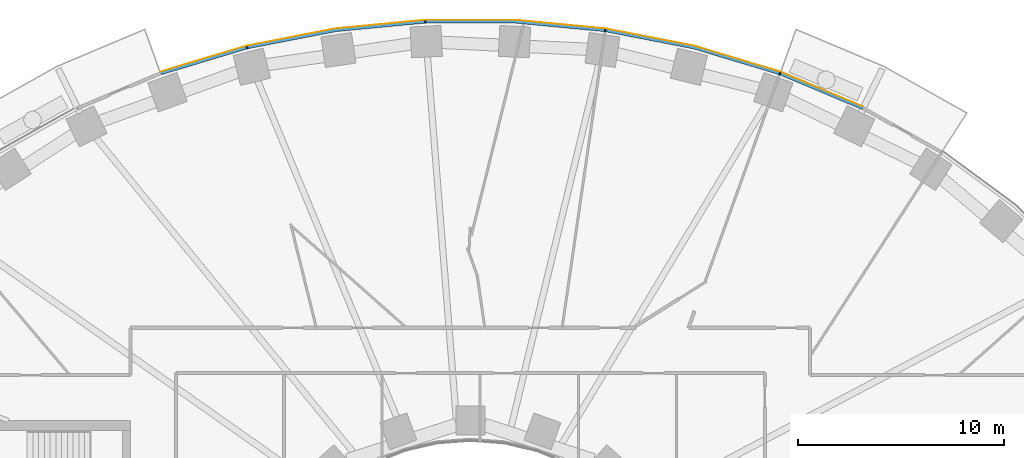
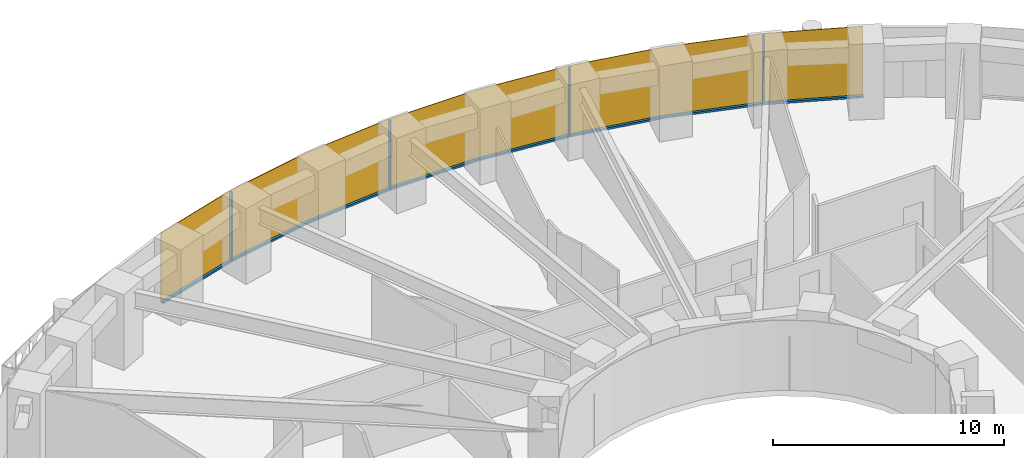
# One storey, part 12 of 15: 9 members, 1 curtain wall.
"""IFC4 building model written with IfcOpenShell, lengths in metres."""

from ifc_helpers import new_model, si_unit, direction, frame, origin, origin_2d, place, context, subcontext, project, spatial, polyline, rectangle, outline, extrude, material, layer, layer_set, material_profile, profile_set, type_object, element, aggregate, save


model = new_model("IFC4")

# Units and contexts
model_context = context("Model", 3, precision=1e-05, world=origin(), true_north=direction((0.0, 1.0)))
body_context = subcontext(model_context, "Body", "Model", "MODEL_VIEW")
ifc_project = project(units=[si_unit("LENGTHUNIT", "METRE"), si_unit("AREAUNIT", "SQUARE_METRE"), si_unit("VOLUMEUNIT", "CUBIC_METRE"), si_unit("PLANEANGLEUNIT", "RADIAN"), si_unit("MASSUNIT", "GRAM", prefix="KILO")], contexts=[model_context])

# Member
ifc_material_1 = material(Name="Aluminium 6063-T6 black anodised", Category="aluminium")
ifc_material_profile = material_profile(ifc_material_1, rectangle(XDim=0.1201171875, YDim=0.06005859375, at=origin_2d()), Name="120x60")
ifc_profile_set = profile_set([ifc_material_profile], Name="Aluminium 6063-T6 black anodised")
member_type_1 = type_object("IfcMemberType", Name="ENV-MULLION-A-120", PredefinedType="MULLION", material=ifc_profile_set)
site_placement = place(None, origin())
building_placement = place(site_placement, origin())
storey_placement = place(building_placement, frame((0.0, 0.0, 38.5)))
member_1_placement = place(storey_placement, frame((15.0341796875, 25.34375, 0.0), z_axis=(0.0, 0.0, 1.0), x_axis=(-0.338379256581, -0.941009818608, 0.0)))
member_1 = element("IfcMember", 1, at=member_1_placement, type_object=member_type_1, Name="Mullion A radial 09", PredefinedType="MULLION", context=body_context, shape_type="SweptSolid", body=[
    extrude(rectangle(XDim=0.1201171875, YDim=0.06005859375, at=origin_2d()), origin(), (0.0, 0.0, 1.0), 3.699951171875),
])

member_2_placement = place(storey_placement, frame((6.54638671875, 27.440185546875, 0.0), z_axis=(0.0, 0.0, 1.0), x_axis=(-0.143082012705, -0.989710835366, 0.0)))
member_2 = element("IfcMember", 2, at=member_2_placement, type_object=member_type_1, Name="Mullion A radial 11", PredefinedType="MULLION", context=body_context, shape_type="SweptSolid", body=[
    extrude(rectangle(XDim=0.1201171875, YDim=0.06005859375, at=origin_2d()), origin(), (0.0, 0.0, 1.0), 3.699951171875),
])

member_3_placement = place(storey_placement, frame((-2.188720703125, 27.856201171875, 0.0), z_axis=(0.0, 0.0, 1.0), x_axis=(0.047557873581, -0.998868484166, 0.0)))
member_3 = element("IfcMember", 3, at=member_3_placement, type_object=member_type_1, Name="Mullion A radial 13", PredefinedType="MULLION", context=body_context, shape_type="SweptSolid", body=[
    extrude(rectangle(XDim=0.1201171875, YDim=0.06005859375, at=origin_2d()), origin(), (0.0, 0.0, 1.0), 3.699951171875),
])

member_4_placement = place(storey_placement, frame((-10.84326171875, 26.60498046875, 0.0), z_axis=(0.0, 0.0, 1.0), x_axis=(0.239799081534, -0.970822538106, 0.0)))
member_4 = element("IfcMember", 4, at=member_4_placement, type_object=member_type_1, Name="Mullion A radial 15", PredefinedType="MULLION", context=body_context, shape_type="SweptSolid", body=[
    extrude(rectangle(XDim=0.1201171875, YDim=0.06005859375, at=origin_2d()), origin(), (0.0, 0.0, 1.0), 3.699951171875),
])

ifc_material_2 = material(Name="Aluminium 6063-T6 black anodised", Category="aluminium")
member_type_2 = type_object("IfcMemberType", Name="ENV-TRANSOM-A", PredefinedType="USERDEFINED", material=ifc_material_2)
member_5_placement = place(storey_placement, origin())
member_5 = element("IfcMember", 5, at=member_5_placement, type_object=member_type_2, Name="Transom A radial 08-09", ObjectType="TRANSOM", PredefinedType="USERDEFINED", context=body_context, shape_type="SweptSolid", body=[
    extrude(outline(polyline([(19.07568359375, 23.709228515625), (15.080322265625, 25.389404296875), (15.03955078125, 25.276123046875), (19.02294921875, 23.601318359375), (19.07568359375, 23.709228515625)])), origin(), (0.0, 0.0, 1.0), 0.10009765625),
])

member_6_placement = place(storey_placement, origin())
member_6 = element("IfcMember", 6, at=member_6_placement, type_object=member_type_2, Name="Transom A radial 09-11", ObjectType="TRANSOM", PredefinedType="USERDEFINED", context=body_context, shape_type="SweptSolid", body=[
    extrude(outline(polyline([(15.027587890625, 25.408203125), (10.857666015625, 26.6630859375), (6.58251953125, 27.494140625), (6.5654296875, 27.375244140625), (10.828857421875, 26.54638671875), (14.987060546875, 25.295166015625), (15.027587890625, 25.408203125)])), origin(), (0.0, 0.0, 1.0), 0.10009765625),
])

member_7_placement = place(storey_placement, origin())
member_7 = element("IfcMember", 7, at=member_7_placement, type_object=member_type_2, Name="Transom A radial 11-13", ObjectType="TRANSOM", PredefinedType="USERDEFINED", context=body_context, shape_type="SweptSolid", body=[
    extrude(outline(polyline([(6.527099609375, 27.502197265625), (2.191650390625, 27.916015625), (-2.163818359375, 27.916015625), (-2.157958984375, 27.7958984375), (2.185791015625, 27.7958984375), (6.510009765625, 27.38330078125), (6.527099609375, 27.502197265625)])), origin(), (0.0, 0.0, 1.0), 0.10009765625),
])

member_8_placement = place(storey_placement, origin())
member_8 = element("IfcMember", 8, at=member_8_placement, type_object=member_type_2, Name="Transom A radial 13-15", ObjectType="TRANSOM", PredefinedType="USERDEFINED", context=body_context, shape_type="SweptSolid", body=[
    extrude(outline(polyline([(-2.219482421875, 27.913330078125), (-6.55517578125, 27.49951171875), (-10.830078125, 26.66845703125), (-10.80126953125, 26.552001953125), (-6.537841796875, 27.380615234375), (-2.2138671875, 27.793212890625), (-2.219482421875, 27.913330078125)])), origin(), (0.0, 0.0, 1.0), 0.10009765625),
])

member_9_placement = place(storey_placement, origin())
member_9 = element("IfcMember", 9, at=member_9_placement, type_object=member_type_2, Name="Transom A radial 15-16", ObjectType="TRANSOM", PredefinedType="USERDEFINED", context=body_context, shape_type="SweptSolid", body=[
    extrude(outline(polyline([(-10.884521484375, 26.655029296875), (-15.035400390625, 25.406005859375), (-14.99462890625, 25.292724609375), (-10.855712890625, 26.53857421875), (-10.884521484375, 26.655029296875)])), origin(), (0.0, 0.0, 1.0), 0.10009765625),
])

# Site, building, storey
site = spatial("IfcSite", under=ifc_project, at=site_placement, CompositionType="ELEMENT")
building = spatial("IfcBuilding", under=site, at=building_placement, Name="Noorbagh Ring Tower", CompositionType="ELEMENT")
storey = spatial("IfcBuildingStorey", under=building, at=storey_placement, Name="L07", CompositionType="ELEMENT", Elevation=38.5)

# Curtain wall
ifc_material_3 = material(Name="Glass dark tinted laminated", Category="glass")
ifc_layer = layer(ifc_material_3, 0.031982421875)
ifc_layer_set = layer_set([ifc_layer], Name="Glass dark tinted laminated")
curtain_wall_type = type_object("IfcCurtainWallType", Name="ENV-CW-A", PredefinedType="NOTDEFINED", material=ifc_layer_set)
curtain_wall_placement = place(storey_placement, origin())
curtain_wall = element("IfcCurtainWall", 10, at=curtain_wall_placement, inside=storey, type_object=curtain_wall_type, Name="Curtain wall A R08", PredefinedType="NOTDEFINED", context=body_context, shape_type="SweptSolid", body=[
    extrude(outline(polyline([(19.08984375, 23.738037109375), (15.065185546875, 25.430419921875), (10.865234375, 26.6943359375), (6.559814453125, 27.53125), (2.193115234375, 27.947998046875), (-2.193115234375, 27.947998046875), (-6.559814453125, 27.53125), (-10.865234375, 26.6943359375), (-15.046142578125, 25.43603515625), (-15.035400390625, 25.406005859375), (-10.857666015625, 26.6630859375), (-6.55517578125, 27.49951171875), (-2.191650390625, 27.916015625), (2.191650390625, 27.916015625), (6.55517578125, 27.49951171875), (10.857666015625, 26.6630859375), (15.054443359375, 25.400146484375), (19.07568359375, 23.709228515625), (19.08984375, 23.738037109375)])), origin(), (0.0, 0.0, 1.0), 3.699951171875),
])

aggregate(curtain_wall, [member_1, member_2, member_3, member_4, member_5, member_6, member_7, member_8, member_9])

save(model, "model.ifc")
